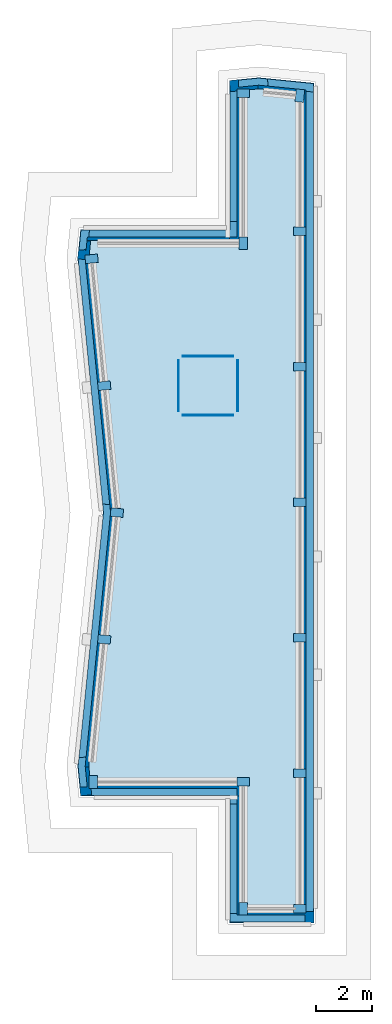
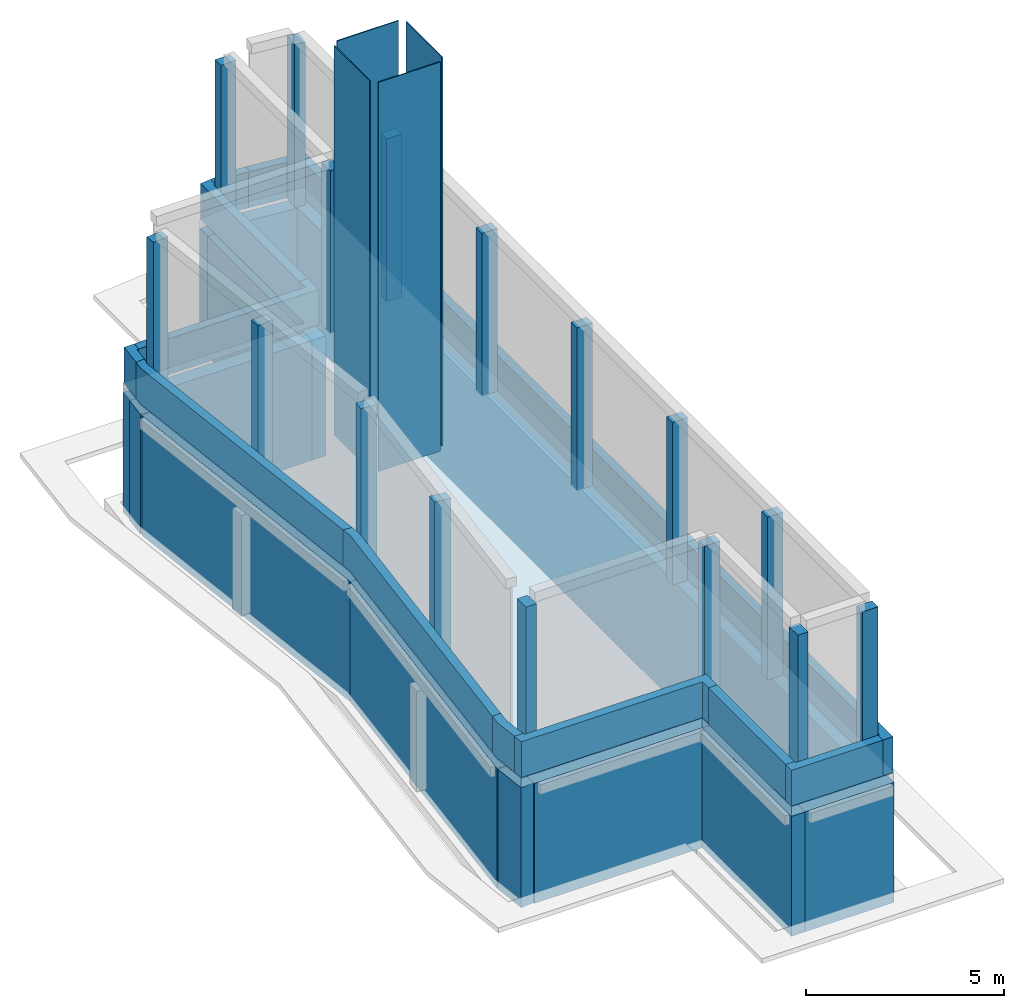
# One storey, part 1 of 2: 24 walls, 20 plates, 1 slab.
"""IFC4 building model written with IfcOpenShell, lengths in metres."""

from ifc_helpers import new_model, si_unit, direction, frame, frame_2d, origin, origin_2d, place, context, subcontext, project, spatial, polyline, rectangle, outline, extrude, material, layer, layer_set, type_object, element, save


model = new_model("IFC4")

# Units and contexts
model_context = context("Model", 3, precision=1e-05, world=origin(), true_north=direction((0.0, 1.0)))
body_context = subcontext(model_context, "Body", "Model", "MODEL_VIEW")
ifc_project = project(units=[si_unit("LENGTHUNIT", "METRE"), si_unit("AREAUNIT", "SQUARE_METRE"), si_unit("VOLUMEUNIT", "CUBIC_METRE"), si_unit("PLANEANGLEUNIT", "RADIAN"), si_unit("MASSUNIT", "GRAM", prefix="KILO")], contexts=[model_context])

# Site, building, storey
site_placement = place(None, origin())
site = spatial("IfcSite", under=ifc_project, at=site_placement, CompositionType="ELEMENT")
building_placement = place(site_placement, origin())
building = spatial("IfcBuilding", under=site, at=building_placement, Name="Brondeck Convention Tower", CompositionType="ELEMENT")
storey_placement = place(building_placement, frame((0.0, 0.0, 319.5)))
storey = spatial("IfcBuildingStorey", under=building, at=storey_placement, Name="ROOF 3", CompositionType="ELEMENT", Elevation=319.5)

# Plates
ifc_material_1 = material(Name="Precast concrete C50/60", Category="concrete")
ifc_layer_1 = layer(ifc_material_1, 0.300048828125)
ifc_layer_set_1 = layer_set([ifc_layer_1], Name="Crown fin FIN-C 300 x 450 Precast concrete C50/60")
plate_type_1 = type_object("IfcPlateType", Name="Crown fin FIN-C 300 x 450 Precast concrete C50/60", PredefinedType="USERDEFINED", material=ifc_layer_set_1)
plate_1_placement = place(storey_placement, frame((0.0, 0.0, 3.97998046875)))
element("IfcPlate", 1, at=plate_1_placement, inside=storey, type_object=plate_type_1, Name="ENV-CF-K1-T3-00-0", ObjectType="FIN-C", PredefinedType="USERDEFINED", context=body_context, shape_type="SweptSolid", body=[
    extrude(outline(polyline([(8.594970703125, 31.169921875), (8.294921875, 31.169921875), (8.294921875, 30.719970703125), (8.594970703125, 30.719970703125), (8.594970703125, 31.169921875)])), origin(), (0.0, 0.0, 1.0), 5.02001953125),
])
plate_2_placement = place(storey_placement, frame((0.0, 0.0, 3.97998046875)))
element("IfcPlate", 2, at=plate_2_placement, inside=storey, type_object=plate_type_1, Name="ENV-CF-K1-T3-01-0", ObjectType="FIN-C", PredefinedType="USERDEFINED", context=body_context, shape_type="SweptSolid", body=[
    extrude(outline(polyline([(10.22998046875, 31.094970703125), (10.22998046875, 30.794921875), (10.679931640625, 30.794921875), (10.679931640625, 31.094970703125), (10.22998046875, 31.094970703125)])), origin(), (0.0, 0.0, 1.0), 5.02001953125),
])
plate_3_placement = place(storey_placement, frame((0.0, 0.0, 3.97998046875)))
element("IfcPlate", 3, at=plate_3_placement, inside=storey, type_object=plate_type_1, Name="ENV-CF-K1-T3-01-1", ObjectType="FIN-C", PredefinedType="USERDEFINED", context=body_context, shape_type="SweptSolid", body=[
    extrude(outline(polyline([(10.22998046875, 35.902587890625), (10.22998046875, 35.6025390625), (10.679931640625, 35.6025390625), (10.679931640625, 35.902587890625), (10.22998046875, 35.902587890625)])), origin(), (0.0, 0.0, 1.0), 5.02001953125),
])
plate_4_placement = place(storey_placement, frame((0.0, 0.0, 3.97998046875)))
element("IfcPlate", 4, at=plate_4_placement, inside=storey, type_object=plate_type_1, Name="ENV-CF-K1-T3-01-2", ObjectType="FIN-C", PredefinedType="USERDEFINED", context=body_context, shape_type="SweptSolid", body=[
    extrude(outline(polyline([(10.22998046875, 40.7099609375), (10.22998046875, 40.409912109375), (10.679931640625, 40.409912109375), (10.679931640625, 40.7099609375), (10.22998046875, 40.7099609375)])), origin(), (0.0, 0.0, 1.0), 5.02001953125),
])
plate_5_placement = place(storey_placement, frame((0.0, 0.0, 3.97998046875)))
element("IfcPlate", 5, at=plate_5_placement, inside=storey, type_object=plate_type_1, Name="ENV-CF-K1-T3-01-3", ObjectType="FIN-C", PredefinedType="USERDEFINED", context=body_context, shape_type="SweptSolid", body=[
    extrude(outline(polyline([(10.22998046875, 45.517333984375), (10.22998046875, 45.21728515625), (10.679931640625, 45.21728515625), (10.679931640625, 45.517333984375), (10.22998046875, 45.517333984375)])), origin(), (0.0, 0.0, 1.0), 5.02001953125),
])
plate_6_placement = place(storey_placement, frame((0.0, 0.0, 3.97998046875)))
element("IfcPlate", 6, at=plate_6_placement, inside=storey, type_object=plate_type_1, Name="ENV-CF-K1-T3-01-4", ObjectType="FIN-C", PredefinedType="USERDEFINED", context=body_context, shape_type="SweptSolid", body=[
    extrude(outline(polyline([(10.22998046875, 50.324951171875), (10.22998046875, 50.02490234375), (10.679931640625, 50.02490234375), (10.679931640625, 50.324951171875), (10.22998046875, 50.324951171875)])), origin(), (0.0, 0.0, 1.0), 5.02001953125),
])
plate_7_placement = place(storey_placement, frame((0.0, 0.0, 3.97998046875)))
element("IfcPlate", 7, at=plate_7_placement, inside=storey, type_object=plate_type_1, Name="ENV-CF-K1-T3-01-5", ObjectType="FIN-C", PredefinedType="USERDEFINED", context=body_context, shape_type="SweptSolid", body=[
    extrude(outline(polyline([(10.22998046875, 55.13232421875), (10.22998046875, 54.83251953125), (10.679931640625, 54.83251953125), (10.679931640625, 55.13232421875), (10.22998046875, 55.13232421875)])), origin(), (0.0, 0.0, 1.0), 5.02001953125),
])
plate_8_placement = place(storey_placement, frame((0.0, 0.0, 3.97998046875)))
element("IfcPlate", 8, at=plate_8_placement, inside=storey, type_object=plate_type_1, Name="ENV-CF-K1-T3-02-0", ObjectType="FIN-C", PredefinedType="USERDEFINED", context=body_context, shape_type="SweptSolid", body=[
    extrude(outline(polyline([(10.283447265625, 59.580810546875), (10.581787109375, 59.551025390625), (10.626708984375, 59.998779296875), (10.328125, 60.028564453125), (10.283447265625, 59.580810546875)])), origin(), (0.0, 0.0, 1.0), 5.02001953125),
])
plate_9_placement = place(storey_placement, frame((0.0, 0.0, 3.97998046875)))
element("IfcPlate", 9, at=plate_9_placement, inside=storey, type_object=plate_type_1, Name="ENV-CF-K1-T3-04-0", ObjectType="FIN-C", PredefinedType="USERDEFINED", context=body_context, shape_type="SweptSolid", body=[
    extrude(outline(polyline([(8.669921875, 59.729736328125), (8.669921875, 60.02978515625), (8.219970703125, 60.02978515625), (8.219970703125, 59.729736328125), (8.669921875, 59.729736328125)])), origin(), (0.0, 0.0, 1.0), 5.02001953125),
])
plate_10_placement = place(storey_placement, frame((0.0, 0.0, 3.97998046875)))
element("IfcPlate", 10, at=plate_10_placement, inside=storey, type_object=plate_type_1, Name="ENV-CF-K1-T3-05-0", ObjectType="FIN-C", PredefinedType="USERDEFINED", context=body_context, shape_type="SweptSolid", body=[
    extrude(outline(polyline([(8.294921875, 54.330078125), (8.594970703125, 54.330078125), (8.594970703125, 54.780029296875), (8.294921875, 54.780029296875), (8.294921875, 54.330078125)])), origin(), (0.0, 0.0, 1.0), 5.02001953125),
])
plate_11_placement = place(storey_placement, frame((0.0, 0.0, 3.97998046875)))
element("IfcPlate", 11, at=plate_11_placement, inside=storey, type_object=plate_type_1, Name="ENV-CF-K1-T3-07-0", ObjectType="FIN-C", PredefinedType="USERDEFINED", context=body_context, shape_type="SweptSolid", body=[
    extrude(outline(polyline([(3.303466796875, 53.873046875), (3.273681640625, 54.171630859375), (2.825927734375, 54.126953125), (2.855712890625, 53.828369140625), (3.303466796875, 53.873046875)])), origin(), (0.0, 0.0, 1.0), 5.02001953125),
])
plate_12_placement = place(storey_placement, frame((0.0, 0.0, 3.97998046875)))
element("IfcPlate", 12, at=plate_12_placement, inside=storey, type_object=plate_type_1, Name="ENV-CF-K1-T3-07-1", ObjectType="FIN-C", PredefinedType="USERDEFINED", context=body_context, shape_type="SweptSolid", body=[
    extrude(outline(polyline([(3.75341796875, 49.373046875), (3.7236328125, 49.671630859375), (3.27587890625, 49.626953125), (3.3056640625, 49.328369140625), (3.75341796875, 49.373046875)])), origin(), (0.0, 0.0, 1.0), 5.02001953125),
])
plate_13_placement = place(storey_placement, frame((0.0, 0.0, 3.97998046875)))
element("IfcPlate", 13, at=plate_13_placement, inside=storey, type_object=plate_type_1, Name="ENV-CF-K1-T3-08-0", ObjectType="FIN-C", PredefinedType="USERDEFINED", context=body_context, shape_type="SweptSolid", body=[
    extrude(outline(polyline([(4.173583984375, 44.828369140625), (4.20361328125, 45.126953125), (3.755615234375, 45.171630859375), (3.725830078125, 44.873046875), (4.173583984375, 44.828369140625)])), origin(), (0.0, 0.0, 1.0), 5.02001953125),
])
plate_14_placement = place(storey_placement, frame((0.0, 0.0, 3.97998046875)))
element("IfcPlate", 14, at=plate_14_placement, inside=storey, type_object=plate_type_1, Name="ENV-CF-K1-T3-08-1", ObjectType="FIN-C", PredefinedType="USERDEFINED", context=body_context, shape_type="SweptSolid", body=[
    extrude(outline(polyline([(3.7236328125, 40.328369140625), (3.75341796875, 40.626953125), (3.3056640625, 40.671630859375), (3.27587890625, 40.373046875), (3.7236328125, 40.328369140625)])), origin(), (0.0, 0.0, 1.0), 5.02001953125),
])
plate_15_placement = place(storey_placement, frame((0.0, 0.0, 3.97998046875)))
element("IfcPlate", 15, at=plate_15_placement, inside=storey, type_object=plate_type_1, Name="ENV-CF-K1-T3-10-0", ObjectType="FIN-C", PredefinedType="USERDEFINED", context=body_context, shape_type="SweptSolid", body=[
    extrude(outline(polyline([(3.270263671875, 35.669921875), (2.97021484375, 35.669921875), (2.97021484375, 35.219970703125), (3.270263671875, 35.219970703125), (3.270263671875, 35.669921875)])), origin(), (0.0, 0.0, 1.0), 5.02001953125),
])
plate_16_placement = place(storey_placement, frame((0.0, 0.0, 3.97998046875)))
element("IfcPlate", 16, at=plate_16_placement, inside=storey, type_object=plate_type_1, Name="ENV-CF-K1-T3-11-0", ObjectType="FIN-C", PredefinedType="USERDEFINED", context=body_context, shape_type="SweptSolid", body=[
    extrude(outline(polyline([(8.669921875, 35.294921875), (8.669921875, 35.594970703125), (8.219970703125, 35.594970703125), (8.219970703125, 35.294921875), (8.669921875, 35.294921875)])), origin(), (0.0, 0.0, 1.0), 5.02001953125),
])

# Slab
ifc_material_2 = material(Name="Concrete C35/45", Category="concrete")
ifc_layer_2 = layer(ifc_material_2, 0.300048828125)
ifc_layer_set_2 = layer_set([ifc_layer_2], Name="Roof slab, terrace and crown")
slab_type = type_object("IfcSlabType", Name="Roof slab, terrace and crown", PredefinedType="ROOF", material=ifc_layer_set_2)
slab_placement = place(storey_placement, frame((0.0, 0.0, 3.699951171875)))
element("IfcSlab", 17, at=slab_placement, inside=storey, type_object=slab_type, Name="ENV-CT-K1-T3-SL", PredefinedType="ROOF", context=body_context, shape_type="SweptSolid", body=[
    extrude(outline(polyline([(7.949951171875, 30.449951171875), (10.949951171875, 30.449951171875), (10.949951171875, 60.23779296875), (9.0, 60.432861328125), (7.949951171875, 60.327880859375), (7.949951171875, 55.050048828125), (2.672119140625, 55.050048828125), (2.567138671875, 54.0), (3.46728515625, 45.0), (2.567138671875, 36.0), (2.672119140625, 34.949951171875), (7.949951171875, 34.949951171875), (7.949951171875, 30.449951171875)])), origin(), (0.0, 0.0, 1.0), 0.300048828125),
])

# Plates
ifc_material_3 = material(Name="Aluminium, bronze anodised", Category="aluminium")
ifc_layer_3 = layer(ifc_material_3, 0.030029296875)
ifc_layer_set_3 = layer_set([ifc_layer_3], Name="Spire cladding panel")
plate_type_2 = type_object("IfcPlateType", Name="Spire cladding panel", PredefinedType="SHEET", material=ifc_layer_set_3)
for number, where, z_axis, x_axis, name in (
    (18, (7.199951171875, 48.448974609375, 4.0), (0.0, 0.0, 1.0), (1.0, 0.0, 0.0), "ENV-SPIRE-1"),
    (19, (8.2509765625, 49.5, 4.0), (0.0, 0.0, 1.0), (0.0, 1.0, 0.0), "ENV-SPIRE-2"),
    (20, (7.199951171875, 50.551025390625, 4.0), (0.0, 0.0, 1.0), (1.0, 0.0, 0.0), "ENV-SPIRE-3"),
    (21, (6.14892578125, 49.5, 4.0), (0.0, 0.0, 1.0), (0.0, 1.0, 0.0), "ENV-SPIRE-4"),
):
    element("IfcPlate", number, at=place(storey_placement, frame(where, z_axis=z_axis, x_axis=x_axis)), inside=storey, type_object=plate_type_2, Name=name, PredefinedType="SHEET", context=body_context, shape_type="SweptSolid", body=[
        extrude(rectangle(XDim=1.800048828125, YDim=0.030029296875, at=origin_2d()), origin(), (0.0, 0.0, 1.0), 12.0),
    ])

# Walls
ifc_material_4 = material(Name="Precast concrete C50/60 bronze finish", Category="concrete")
ifc_layer_4 = layer(ifc_material_4, 0.39990234375)
ifc_layer_set_4 = layer_set([ifc_layer_4], Name="Crown tier wall, precast concrete C50/60")
wall_type_1 = type_object("IfcWallType", Name="Crown tier wall, precast concrete C50/60", PredefinedType="SOLIDWALL", material=ifc_layer_set_4)
wall_1_placement = place(storey_placement, frame((10.949951171875, 30.64990234375, 0.0), z_axis=(0.0, 0.0, 1.0), x_axis=(-1.0, 0.0, 0.0)))
element("IfcWall", 22, at=wall_1_placement, inside=storey, type_object=wall_type_1, Name="ENV-CT-K1-T3-W01", PredefinedType="SOLIDWALL", context=body_context, shape_type="SweptSolid", body=[
    extrude(rectangle(XDim=2.60205078125, YDim=0.39990234375, at=frame_2d((1.301025390625, 0.0))), origin(), (0.0, 0.0, 1.0), 3.699951171875),
])
wall_2_placement = place(storey_placement, frame((10.75, 60.23779296875, 0.0), z_axis=(0.0, 0.0, 1.0), x_axis=(0.0, -1.0, 0.0)))
element("IfcWall", 23, at=wall_2_placement, inside=storey, type_object=wall_type_1, Name="ENV-CT-K1-T3-W02", PredefinedType="SOLIDWALL", context=body_context, shape_type="SweptSolid", body=[
    extrude(rectangle(XDim=29.3876953125, YDim=0.39990234375, at=frame_2d((14.69384765625, 0.0))), origin(), (0.0, 0.0, 1.0), 3.699951171875),
])
wall_3_placement = place(storey_placement, frame((8.97998046875, 60.23388671875, 0.0), z_axis=(0.0, 0.0, 1.0), x_axis=(0.99503719021, -0.099503719021, 0.0)))
element("IfcWall", 24, at=wall_3_placement, inside=storey, type_object=wall_type_1, Name="ENV-CT-K1-T3-W03", PredefinedType="SOLIDWALL", context=body_context, shape_type="SweptSolid", body=[
    extrude(rectangle(XDim=1.57275390625, YDim=0.39990234375, at=frame_2d((0.786376953125, 0.0))), origin(), (0.0, 0.0, 1.0), 3.699951171875),
])
wall_4_placement = place(storey_placement, frame((7.969970703125, 60.12890625, 0.0), z_axis=(0.0, 0.0, 1.0), x_axis=(0.995056641607, 0.099309012651, 0.0)))
element("IfcWall", 25, at=wall_4_placement, inside=storey, type_object=wall_type_1, Name="ENV-CT-K1-T3-W04", PredefinedType="SOLIDWALL", context=body_context, shape_type="SweptSolid", body=[
    extrude(rectangle(XDim=0.9931640625, YDim=0.39990234375, at=frame_2d((0.49658203125, 0.0))), origin(), (0.0, 0.0, 1.0), 3.699951171875),
])
wall_5_placement = place(storey_placement, frame((8.14990234375, 54.64990234375, 0.0), z_axis=(0.0, 0.0, 1.0), x_axis=(0.0, 1.0, 0.0)))
element("IfcWall", 26, at=wall_5_placement, inside=storey, type_object=wall_type_1, Name="ENV-CT-K1-T3-W05", PredefinedType="SOLIDWALL", context=body_context, shape_type="SweptSolid", body=[
    extrude(rectangle(XDim=5.291015625, YDim=0.39990234375, at=frame_2d((2.6455078125, 0.0))), origin(), (0.0, 0.0, 1.0), 3.699951171875),
])
wall_6_placement = place(storey_placement, frame((2.672119140625, 54.85009765625, 0.0), z_axis=(0.0, 0.0, 1.0), x_axis=(1.0, 0.0, 0.0)))
element("IfcWall", 27, at=wall_6_placement, inside=storey, type_object=wall_type_1, Name="ENV-CT-K1-T3-W06", PredefinedType="SOLIDWALL", context=body_context, shape_type="SweptSolid", body=[
    extrude(rectangle(XDim=5.27978515625, YDim=0.39990234375, at=frame_2d((2.639892578125, 0.0))), origin(), (0.0, 0.0, 1.0), 3.699951171875),
])
wall_7_placement = place(storey_placement, frame((2.76611328125, 53.97998046875, 0.0), z_axis=(0.0, 0.0, 1.0), x_axis=(0.099720713093, 0.995015466905, 0.0)))
element("IfcWall", 28, at=wall_7_placement, inside=storey, type_object=wall_type_1, Name="ENV-CT-K1-T3-W07", PredefinedType="SOLIDWALL", context=body_context, shape_type="SweptSolid", body=[
    extrude(rectangle(XDim=0.66845703125, YDim=0.39990234375, at=frame_2d((0.334228515625, 0.0))), origin(), (0.0, 0.0, 1.0), 3.699951171875),
])
for number, where, z_axis, x_axis, name in (
    (29, (3.670166015625, 44.97998046875, 0.0), (0.0, 0.0, 1.0), (-0.099490324224, 0.995038529599, 0.0), "ENV-CT-K1-T3-W08"),
    (30, (2.76611328125, 35.97998046875, 0.0), (0.0, 0.0, 1.0), (0.099517113764, 0.995035850645, 0.0), "ENV-CT-K1-T3-W09"),
):
    element("IfcWall", number, at=place(storey_placement, frame(where, z_axis=z_axis, x_axis=x_axis)), inside=storey, type_object=wall_type_1, Name=name, PredefinedType="SOLIDWALL", context=body_context, shape_type="SweptSolid", body=[
        extrude(rectangle(XDim=9.02294921875, YDim=0.39990234375, at=frame_2d((4.511474609375, 0.0))), origin(), (0.0, 0.0, 1.0), 3.699951171875),
    ])
wall_8_placement = place(storey_placement, frame((2.87109375, 34.969970703125, 0.0), z_axis=(0.0, 0.0, 1.0), x_axis=(-0.099309012651, 0.995056641607, 0.0)))
element("IfcWall", 31, at=wall_8_placement, inside=storey, type_object=wall_type_1, Name="ENV-CT-K1-T3-W10", PredefinedType="SOLIDWALL", context=body_context, shape_type="SweptSolid", body=[
    extrude(rectangle(XDim=0.9931640625, YDim=0.39990234375, at=frame_2d((0.49658203125, 0.0))), origin(), (0.0, 0.0, 1.0), 3.699951171875),
])
wall_9_placement = place(storey_placement, frame((8.35009765625, 35.14990234375, 0.0), z_axis=(0.0, 0.0, 1.0), x_axis=(-1.0, 0.0, 0.0)))
element("IfcWall", 32, at=wall_9_placement, inside=storey, type_object=wall_type_1, Name="ENV-CT-K1-T3-W11", PredefinedType="SOLIDWALL", context=body_context, shape_type="SweptSolid", body=[
    extrude(rectangle(XDim=5.291015625, YDim=0.39990234375, at=frame_2d((2.6455078125, 0.0))), origin(), (0.0, 0.0, 1.0), 3.699951171875),
])
wall_10_placement = place(storey_placement, frame((8.14990234375, 30.449951171875, 0.0), z_axis=(0.0, 0.0, 1.0), x_axis=(0.0, 1.0, 0.0)))
element("IfcWall", 33, at=wall_10_placement, inside=storey, type_object=wall_type_1, Name="ENV-CT-K1-T3-W12", PredefinedType="SOLIDWALL", context=body_context, shape_type="SweptSolid", body=[
    extrude(rectangle(XDim=4.501953125, YDim=0.39990234375, at=frame_2d((2.2509765625, 0.0))), origin(), (0.0, 0.0, 1.0), 3.699951171875),
])
ifc_layer_5 = layer(ifc_material_1, 0.25)
ifc_layer_set_5 = layer_set([ifc_layer_5], Name="Roof parapet, precast concrete C50/60")
wall_type_2 = type_object("IfcWallType", Name="Roof parapet, precast concrete C50/60", PredefinedType="PARAPET", material=ifc_layer_set_5)
wall_11_placement = place(storey_placement, frame((0.0, 0.0, 4.0)))
element("IfcWall", 34, at=wall_11_placement, inside=storey, type_object=wall_type_2, Name="ENV-CT-K1-T3-PA01", PredefinedType="PARAPET", context=body_context, shape_type="SweptSolid", body=[
    extrude(outline(polyline([(2.91162109375, 35.27001953125), (2.660400390625, 35.27001953125), (2.690185546875, 34.969970703125), (7.969970703125, 34.969970703125), (7.969970703125, 34.669921875), (8.219970703125, 34.669921875), (8.219970703125, 35.219970703125), (2.91650390625, 35.219970703125), (2.91162109375, 35.27001953125)])), origin(), (0.0, 0.0, 1.0), 1.10009765625),
])
wall_12_placement = place(storey_placement, frame((0.0, 0.0, 4.0)))
element("IfcWall", 35, at=wall_12_placement, inside=storey, type_object=wall_type_2, Name="ENV-CT-K1-T3-PA02", PredefinedType="PARAPET", context=body_context, shape_type="SweptSolid", body=[
    extrude(outline(polyline([(2.86376953125, 36.251220703125), (2.85595703125, 36.328369140625), (2.617919921875, 36.304443359375), (2.58740234375, 36.0), (2.66015625, 35.27099609375), (2.66015625, 35.27099609375), (2.660400390625, 35.27099609375), (2.91162109375, 35.27099609375), (2.838623046875, 36.0), (2.86376953125, 36.251220703125)])), origin(), (0.0, 0.0, 1.0), 1.10009765625),
])
wall_13_placement = place(storey_placement, frame((0.0, 0.0, 4.0)))
element("IfcWall", 36, at=wall_13_placement, inside=storey, type_object=wall_type_2, Name="ENV-CT-K1-T3-PA03", PredefinedType="PARAPET", context=body_context, shape_type="SweptSolid", body=[
    extrude(outline(polyline([(3.738525390625, 45.0), (3.710693359375, 45.279296875), (3.456787109375, 45.304443359375), (3.4873046875, 45.0), (2.617919921875, 36.3056640625), (2.85595703125, 36.329345703125), (2.85595703125, 36.329345703125), (2.856201171875, 36.329345703125), (2.856201171875, 36.329345703125), (2.856201171875, 36.329345703125), (2.856201171875, 36.329345703125), (2.8564453125, 36.3291015625), (2.8564453125, 36.3291015625), (2.856689453125, 36.3291015625), (2.856689453125, 36.3291015625), (2.856689453125, 36.3291015625), (2.856689453125, 36.328857421875), (2.856689453125, 36.328857421875), (2.85693359375, 36.32861328125), (2.85693359375, 36.32861328125), (2.85693359375, 36.32861328125), (2.85693359375, 36.32861328125), (2.8642578125, 36.25634765625), (3.738525390625, 45.0)])), origin(), (0.0, 0.0, 1.0), 1.10009765625),
])
wall_14_placement = place(storey_placement, frame((0.0, 0.0, 4.0)))
element("IfcWall", 37, at=wall_14_placement, inside=storey, type_object=wall_type_2, Name="ENV-CT-K1-T3-PA04", PredefinedType="PARAPET", context=body_context, shape_type="SweptSolid", body=[
    extrude(outline(polyline([(2.86376953125, 54.251220703125), (2.85595703125, 54.328369140625), (2.617919921875, 54.304443359375), (2.58740234375, 54.0), (3.456787109375, 45.305419921875), (3.456787109375, 45.305419921875), (3.456787109375, 45.305419921875), (3.45703125, 45.305419921875), (3.71044921875, 45.2802734375), (2.838623046875, 54.0), (2.86376953125, 54.251220703125)])), origin(), (0.0, 0.0, 1.0), 1.10009765625),
])
wall_15_placement = place(storey_placement, frame((0.0, 0.0, 4.0)))
element("IfcWall", 38, at=wall_15_placement, inside=storey, type_object=wall_type_2, Name="ENV-CT-K1-T3-PA05", PredefinedType="PARAPET", context=body_context, shape_type="SweptSolid", body=[
    extrude(outline(polyline([(2.91650390625, 54.780029296875), (2.966796875, 54.780029296875), (2.99169921875, 55.030029296875), (2.690185546875, 55.030029296875), (2.617919921875, 54.3056640625), (2.85595703125, 54.329345703125), (2.85595703125, 54.329345703125), (2.856201171875, 54.329345703125), (2.856201171875, 54.329345703125), (2.856201171875, 54.329345703125), (2.856201171875, 54.329345703125), (2.8564453125, 54.3291015625), (2.8564453125, 54.3291015625), (2.856689453125, 54.3291015625), (2.856689453125, 54.3291015625), (2.856689453125, 54.3291015625), (2.856689453125, 54.328857421875), (2.856689453125, 54.328857421875), (2.85693359375, 54.32861328125), (2.85693359375, 54.32861328125), (2.85693359375, 54.32861328125), (2.85693359375, 54.32861328125), (2.8642578125, 54.25634765625), (2.91650390625, 54.780029296875)])), origin(), (0.0, 0.0, 1.0), 1.10009765625),
])
wall_16_placement = place(storey_placement, frame((0.0, 0.0, 4.0)))
element("IfcWall", 39, at=wall_16_placement, inside=storey, type_object=wall_type_2, Name="ENV-CT-K1-T3-PA06", PredefinedType="PARAPET", context=body_context, shape_type="SweptSolid", body=[
    extrude(outline(polyline([(8.219970703125, 54.780029296875), (8.219970703125, 55.330078125), (7.969970703125, 55.330078125), (7.969970703125, 55.030029296875), (2.992919921875, 55.030029296875), (2.992919921875, 55.030029296875), (2.992919921875, 55.02978515625), (2.9677734375, 54.780029296875), (8.219970703125, 54.780029296875)])), origin(), (0.0, 0.0, 1.0), 1.10009765625),
])
wall_17_placement = place(storey_placement, frame((0.0, 0.0, 4.0)))
element("IfcWall", 40, at=wall_17_placement, inside=storey, type_object=wall_type_2, Name="ENV-CT-K1-T3-PA07", PredefinedType="PARAPET", context=body_context, shape_type="SweptSolid", body=[
    extrude(outline(polyline([(8.219970703125, 60.08349609375), (8.27001953125, 60.08837890625), (8.27001953125, 60.339599609375), (7.969970703125, 60.309814453125), (7.969970703125, 55.3310546875), (8.219970703125, 55.3310546875), (8.219970703125, 60.08349609375)])), origin(), (0.0, 0.0, 1.0), 1.10009765625),
])
wall_18_placement = place(storey_placement, frame((0.0, 0.0, 4.0)))
element("IfcWall", 41, at=wall_18_placement, inside=storey, type_object=wall_type_2, Name="ENV-CT-K1-T3-PA08", PredefinedType="PARAPET", context=body_context, shape_type="SweptSolid", body=[
    extrude(outline(polyline([(9.251220703125, 60.13623046875), (9.328369140625, 60.14404296875), (9.304443359375, 60.382080078125), (9.0, 60.41259765625), (8.27099609375, 60.33984375), (8.27099609375, 60.33984375), (8.27099609375, 60.339599609375), (8.27099609375, 60.08837890625), (9.0, 60.161376953125), (9.251220703125, 60.13623046875)])), origin(), (0.0, 0.0, 1.0), 1.10009765625),
])
wall_19_placement = place(storey_placement, frame((0.0, 0.0, 4.0)))
element("IfcWall", 42, at=wall_19_placement, inside=storey, type_object=wall_type_2, Name="ENV-CT-K1-T3-PA09", PredefinedType="PARAPET", context=body_context, shape_type="SweptSolid", body=[
    extrude(outline(polyline([(10.679931640625, 59.993408203125), (10.679931640625, 59.943115234375), (10.929931640625, 59.918212890625), (10.929931640625, 60.2197265625), (9.3056640625, 60.382080078125), (9.329345703125, 60.14404296875), (9.329345703125, 60.14404296875), (9.329345703125, 60.143798828125), (9.329345703125, 60.143798828125), (9.329345703125, 60.143798828125), (9.329345703125, 60.143798828125), (9.3291015625, 60.1435546875), (9.3291015625, 60.1435546875), (9.3291015625, 60.143310546875), (9.3291015625, 60.143310546875), (9.3291015625, 60.143310546875), (9.328857421875, 60.143310546875), (9.328857421875, 60.143310546875), (9.32861328125, 60.14306640625), (9.32861328125, 60.14306640625), (9.32861328125, 60.14306640625), (9.32861328125, 60.14306640625), (9.25634765625, 60.1357421875), (10.679931640625, 59.993408203125)])), origin(), (0.0, 0.0, 1.0), 1.10009765625),
])
wall_20_placement = place(storey_placement, frame((0.0, 0.0, 4.0)))
element("IfcWall", 43, at=wall_20_placement, inside=storey, type_object=wall_type_2, Name="ENV-CT-K1-T3-PA10", PredefinedType="PARAPET", context=body_context, shape_type="SweptSolid", body=[
    extrude(outline(polyline([(10.679931640625, 30.719970703125), (10.6298828125, 30.719970703125), (10.6298828125, 30.469970703125), (10.929931640625, 30.469970703125), (10.929931640625, 59.917236328125), (10.929931640625, 59.917236328125), (10.929931640625, 59.917236328125), (10.679931640625, 59.942138671875), (10.679931640625, 30.719970703125)])), origin(), (0.0, 0.0, 1.0), 1.10009765625),
])
wall_21_placement = place(storey_placement, frame((0.0, 0.0, 4.0)))
element("IfcWall", 44, at=wall_21_placement, inside=storey, type_object=wall_type_2, Name="ENV-CT-K1-T3-PA11", PredefinedType="PARAPET", context=body_context, shape_type="SweptSolid", body=[
    extrude(outline(polyline([(8.219970703125, 30.719970703125), (8.219970703125, 30.77001953125), (7.969970703125, 30.77001953125), (7.969970703125, 30.469970703125), (10.62890625, 30.469970703125), (10.62890625, 30.719970703125), (8.219970703125, 30.719970703125)])), origin(), (0.0, 0.0, 1.0), 1.10009765625),
])
wall_22_placement = place(storey_placement, frame((0.0, 0.0, 4.0)))
element("IfcWall", 45, at=wall_22_placement, inside=storey, type_object=wall_type_2, Name="ENV-CT-K1-T3-PA12", PredefinedType="PARAPET", context=body_context, shape_type="SweptSolid", body=[
    extrude(outline(polyline([(8.219970703125, 30.77099609375), (8.219970703125, 34.6689453125), (7.969970703125, 34.6689453125), (7.969970703125, 30.77099609375), (8.219970703125, 30.77099609375)])), origin(), (0.0, 0.0, 1.0), 1.10009765625),
])

save(model, "model.ifc")
